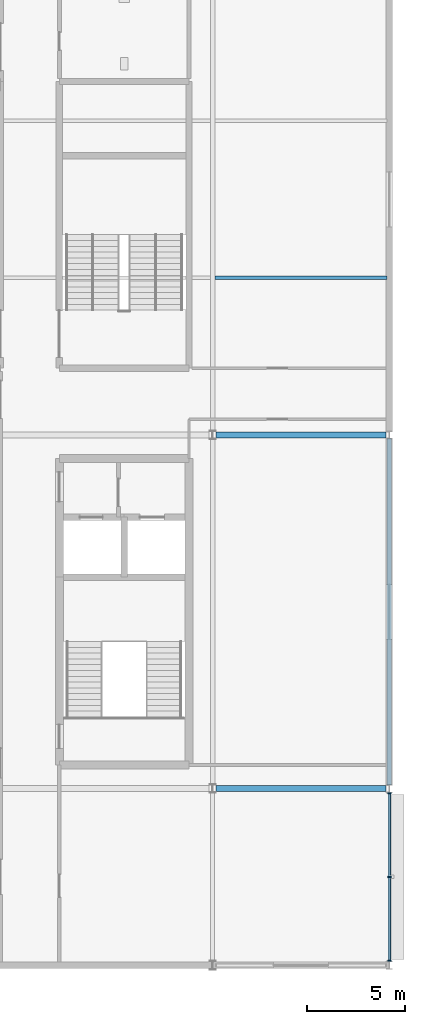
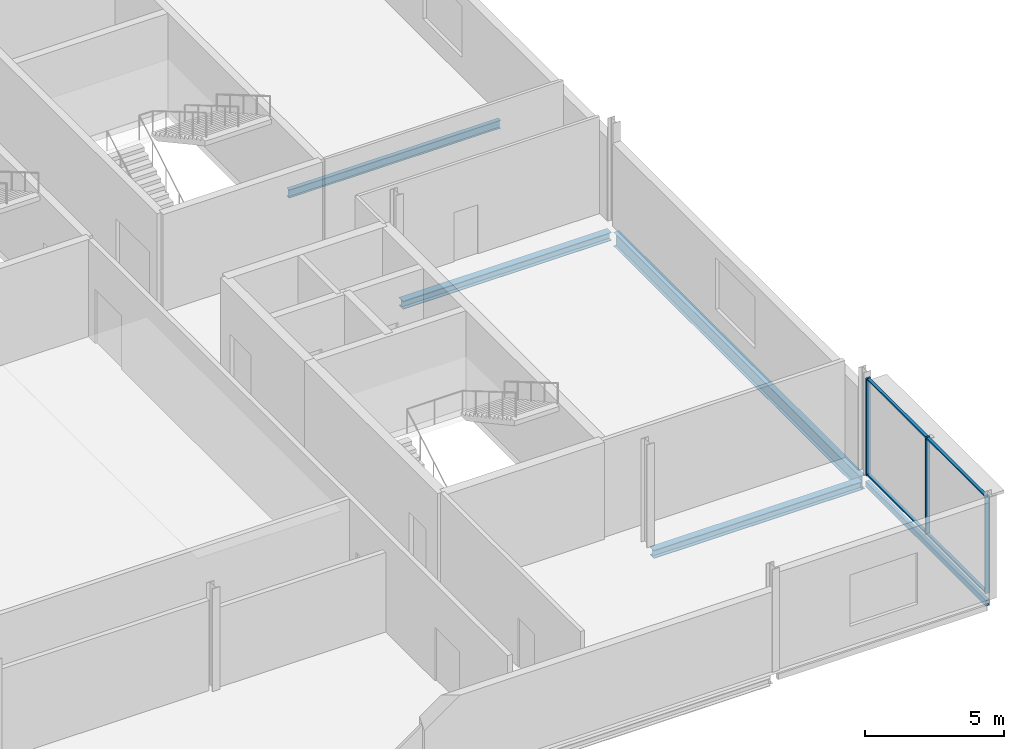
# One storey, part 29 of 73: 7 members, 5 beams, 1 element without a shape of its own.
"""IFC4 building model written with IfcOpenShell, lengths in metres."""

from ifc_helpers import new_model, si_unit, direction, frame, origin, origin_2d, place, context, subcontext, project, spatial, rectangle, hollow_rectangle, i_section, extrude, material, layer, layer_set, material_profile, profile_set, type_object, element, aggregate, save


model = new_model("IFC4")

# Units and contexts
model_context = context("Model", 3, precision=1e-05, world=origin(), true_north=direction((0.0, 1.0)))
body_context = subcontext(model_context, "Body", "Model", "MODEL_VIEW")
ifc_project = project(units=[si_unit("LENGTHUNIT", "METRE"), si_unit("AREAUNIT", "SQUARE_METRE"), si_unit("VOLUMEUNIT", "CUBIC_METRE"), si_unit("PLANEANGLEUNIT", "RADIAN"), si_unit("MASSUNIT", "GRAM", prefix="KILO")], contexts=[model_context])

# Site, building, storey
site_placement = place(None, origin())
site = spatial("IfcSite", under=ifc_project, at=site_placement, CompositionType="ELEMENT")
building_placement = place(site_placement, origin())
building = spatial("IfcBuilding", under=site, at=building_placement, Name="Kisiwana Market Hall", CompositionType="ELEMENT")
storey_placement = place(building_placement, frame((0.0, 0.0, 33.300048828125)))
storey = spatial("IfcBuildingStorey", under=building, at=storey_placement, Name="L07", CompositionType="ELEMENT", Elevation=33.300048828125)

# Beams
ifc_material_1 = material(Name="Steel S355", Category="steel")
ifc_material_profile_1 = material_profile(ifc_material_1, i_section(OverallWidth=0.300048828125, OverallDepth=0.360107421875, WebThickness=0.012451171875, FlangeThickness=0.0224609375, at=origin_2d()), Name="HEB 360")
ifc_profile_set_1 = profile_set([ifc_material_profile_1], Name="Steel S355")
beam_type_1 = type_object("IfcBeamType", Name="BM-GIRD-HEB360", PredefinedType="BEAM", material=ifc_profile_set_1)
for number, where, z_axis, x_axis, name in (
    (1, (189.183349609375, 18.0, -0.4599609375), (1.0, 0.0, 0.0), (0.0, 1.0, 0.0), "Floor beam B-1976"),
    (2, (189.183349609375, 36.0, -0.4599609375), (1.0, 0.0, 0.0), (0.0, 1.0, 0.0), "Floor beam B-1990"),
):
    element("IfcBeam", number, at=place(storey_placement, frame(where, z_axis=z_axis, x_axis=x_axis)), inside=storey, type_object=beam_type_1, Name=name, PredefinedType="BEAM", context=body_context, shape_type="SweptSolid", body=[
        extrude(i_section(OverallWidth=0.300048828125, OverallDepth=0.360107421875, WebThickness=0.012451171875, FlangeThickness=0.0224609375, at=origin_2d()), origin(), (0.0, 0.0, 1.0), 8.635498046875),
    ])
ifc_material_2 = material(Name="Steel S355", Category="steel")
ifc_material_profile_2 = material_profile(ifc_material_2, i_section(OverallWidth=0.22900390625, OverallDepth=0.6123046875, WebThickness=0.011962890625, FlangeThickness=0.01953125, at=origin_2d()), Name="UB 610x229x125")
ifc_profile_set_2 = profile_set([ifc_material_profile_2], Name="Steel S355")
beam_type_2 = type_object("IfcBeamType", Name="BM-GIRD-UB610H", PredefinedType="BEAM", material=ifc_profile_set_2)
beam_1_placement = place(storey_placement, frame((198.0, 18.177001953125, -0.586181640625), z_axis=(0.0, 1.0, 0.0), x_axis=(-1.0, 0.0, 0.0)))
element("IfcBeam", 3, at=beam_1_placement, inside=storey, type_object=beam_type_2, Name="Floor beam B-2052", PredefinedType="BEAM", context=body_context, shape_type="SweptSolid", body=[
    extrude(i_section(OverallWidth=0.22900390625, OverallDepth=0.6123046875, WebThickness=0.011962890625, FlangeThickness=0.01953125, at=origin_2d()), origin(), (0.0, 0.0, 1.0), 17.64599609375),
])
ifc_material_3 = material(Name="Steel S355", Category="steel")
ifc_material_profile_3 = material_profile(ifc_material_3, i_section(OverallWidth=0.17138671875, OverallDepth=0.35498046875, WebThickness=0.00732421875, FlangeThickness=0.011474609375, at=origin_2d()), Name="UB 356x171x51")
ifc_profile_set_3 = profile_set([ifc_material_profile_3], Name="Steel S355")
beam_type_3 = type_object("IfcBeamType", Name="BM-JOIST-UB356", PredefinedType="JOIST", material=ifc_profile_set_3)
beam_2_placement = place(storey_placement, frame((189.113525390625, 44.0, -0.45751953125), z_axis=(1.0, 0.0, 0.0), x_axis=(0.0, 1.0, 0.0)))
element("IfcBeam", 4, at=beam_2_placement, inside=storey, type_object=beam_type_3, Name="Secondary floor joist B-1932", PredefinedType="JOIST", context=body_context, shape_type="SweptSolid", body=[
    extrude(i_section(OverallWidth=0.17138671875, OverallDepth=0.35498046875, WebThickness=0.00732421875, FlangeThickness=0.011474609375, at=origin_2d()), origin(), (0.0, 0.0, 1.0), 8.77294921875),
])
ifc_material_4 = material(Name="Steel S355", Category="steel")
ifc_material_profile_4 = material_profile(ifc_material_4, hollow_rectangle(XDim=0.14990234375, YDim=0.25, WallThickness=0.010009765625, at=origin_2d()), Name="RHS 250x150x10.0")
ifc_profile_set_4 = profile_set([ifc_material_profile_4], Name="Steel S355")
beam_type_4 = type_object("IfcBeamType", Name="BM-SPAN-RHS250", PredefinedType="SPANDREL", material=ifc_profile_set_4)
beam_3_placement = place(storey_placement, frame((198.0, 9.177001953125, -0.405029296875), z_axis=(0.0, 1.0, 0.0), x_axis=(-1.0, 0.0, 0.0)))
element("IfcBeam", 5, at=beam_3_placement, inside=storey, type_object=beam_type_4, Name="Floor beam B-2051", PredefinedType="SPANDREL", context=body_context, shape_type="SweptSolid", body=[
    extrude(hollow_rectangle(XDim=0.14990234375, YDim=0.25, WallThickness=0.010009765625, at=origin_2d()), origin(), (0.0, 0.0, 1.0), 8.64599609375),
])

# Curtain wall, members
ifc_material_5 = material(Name="Double-glazed solar-control low-E IGU", Category="glass")
ifc_layer = layer(ifc_material_5, 0.159912109375)
ifc_layer_set = layer_set([ifc_layer], Name="CW-BRG-L07-8200")
curtain_wall_type = type_object("IfcCurtainWallType", Name="CW-BRG-L07-8200", PredefinedType="USERDEFINED", material=ifc_layer_set)
curtain_wall_placement = place(storey_placement, origin())
curtain_wall = element("IfcCurtainWall", 6, at=curtain_wall_placement, inside=storey, type_object=curtain_wall_type, Name="Unitised curtain wall CW-237 (L07)", ObjectType="UNITISED CURTAIN WALL", PredefinedType="USERDEFINED")
ifc_material_6 = material(Name="Aluminium alloy 6063-T6", Category="aluminium")
ifc_material_profile_5 = material_profile(ifc_material_6, rectangle(XDim=0.070068359375, YDim=0.179931640625, at=origin_2d()), Name="ALU MULLION 70x180")
ifc_profile_set_5 = profile_set([ifc_material_profile_5], Name="Aluminium alloy 6063-T6")
member_type_1 = type_object("IfcMemberType", Name="CW-MULL-70x180", PredefinedType="MULLION", material=ifc_profile_set_5)
member_1_placement = place(storey_placement, frame((198.0, 9.235107421875, 0.0), z_axis=(0.0, 0.0, 1.0), x_axis=(0.0, 1.0, 0.0)))
member_1 = element("IfcMember", 7, at=member_1_placement, type_object=member_type_1, Name="CW-237 mullion 1", PredefinedType="MULLION", context=body_context, shape_type="SweptSolid", body=[
    extrude(rectangle(XDim=0.070068359375, YDim=0.179931640625, at=origin_2d()), origin(), (0.0, 0.0, 1.0), 4.2548828125),
])
member_2_placement = place(storey_placement, frame((198.0, 13.5, 0.0), z_axis=(0.0, 0.0, 1.0), x_axis=(0.0, 1.0, 0.0)))
member_2 = element("IfcMember", 8, at=member_2_placement, type_object=member_type_1, Name="CW-237 mullion 2", PredefinedType="MULLION", context=body_context, shape_type="SweptSolid", body=[
    extrude(rectangle(XDim=0.070068359375, YDim=0.179931640625, at=origin_2d()), origin(), (0.0, 0.0, 1.0), 4.2548828125),
])
member_3_placement = place(storey_placement, frame((198.0, 17.764892578125, 0.0), z_axis=(0.0, 0.0, 1.0), x_axis=(0.0, 1.0, 0.0)))
member_3 = element("IfcMember", 9, at=member_3_placement, type_object=member_type_1, Name="CW-237 mullion 3", PredefinedType="MULLION", context=body_context, shape_type="SweptSolid", body=[
    extrude(rectangle(XDim=0.070068359375, YDim=0.179931640625, at=origin_2d()), origin(), (0.0, 0.0, 1.0), 4.2548828125),
])
ifc_material_7 = material(Name="Aluminium alloy 6063-T6", Category="aluminium")
ifc_material_profile_6 = material_profile(ifc_material_7, rectangle(XDim=0.1201171875, YDim=0.06005859375, at=origin_2d()), Name="ALU TRANSOM 60x120")
ifc_profile_set_6 = profile_set([ifc_material_profile_6], Name="Aluminium alloy 6063-T6")
member_type_2 = type_object("IfcMemberType", Name="CW-TRAN-60x120", PredefinedType="USERDEFINED", material=ifc_profile_set_6)
member_4_placement = place(storey_placement, frame((198.0, 9.27001953125, 0.030029296875), z_axis=(0.0, 1.0, 0.0), x_axis=(-1.0, 0.0, 0.0)))
member_4 = element("IfcMember", 10, at=member_4_placement, type_object=member_type_2, Name="CW-237 transom 1.1", ObjectType="TRANSOM", PredefinedType="USERDEFINED", context=body_context, shape_type="SweptSolid", body=[
    extrude(rectangle(XDim=0.1201171875, YDim=0.06005859375, at=origin_2d()), origin(), (0.0, 0.0, 1.0), 4.195068359375),
])
member_5_placement = place(storey_placement, frame((198.0, 9.27001953125, 4.224853515625), z_axis=(0.0, 1.0, 0.0), x_axis=(-1.0, 0.0, 0.0)))
member_5 = element("IfcMember", 11, at=member_5_placement, type_object=member_type_2, Name="CW-237 transom 1.2", ObjectType="TRANSOM", PredefinedType="USERDEFINED", context=body_context, shape_type="SweptSolid", body=[
    extrude(rectangle(XDim=0.1201171875, YDim=0.06005859375, at=origin_2d()), origin(), (0.0, 0.0, 1.0), 4.195068359375),
])
member_6_placement = place(storey_placement, frame((198.0, 13.534912109375, 0.030029296875), z_axis=(0.0, 1.0, 0.0), x_axis=(-1.0, 0.0, 0.0)))
member_6 = element("IfcMember", 12, at=member_6_placement, type_object=member_type_2, Name="CW-237 transom 2.1", ObjectType="TRANSOM", PredefinedType="USERDEFINED", context=body_context, shape_type="SweptSolid", body=[
    extrude(rectangle(XDim=0.1201171875, YDim=0.06005859375, at=origin_2d()), origin(), (0.0, 0.0, 1.0), 4.195068359375),
])
member_7_placement = place(storey_placement, frame((198.0, 13.534912109375, 4.224853515625), z_axis=(0.0, 1.0, 0.0), x_axis=(-1.0, 0.0, 0.0)))
member_7 = element("IfcMember", 13, at=member_7_placement, type_object=member_type_2, Name="CW-237 transom 2.2", ObjectType="TRANSOM", PredefinedType="USERDEFINED", context=body_context, shape_type="SweptSolid", body=[
    extrude(rectangle(XDim=0.1201171875, YDim=0.06005859375, at=origin_2d()), origin(), (0.0, 0.0, 1.0), 4.195068359375),
])
aggregate(curtain_wall, [member_1, member_2, member_3, member_4, member_5, member_6, member_7])

save(model, "model.ifc")
